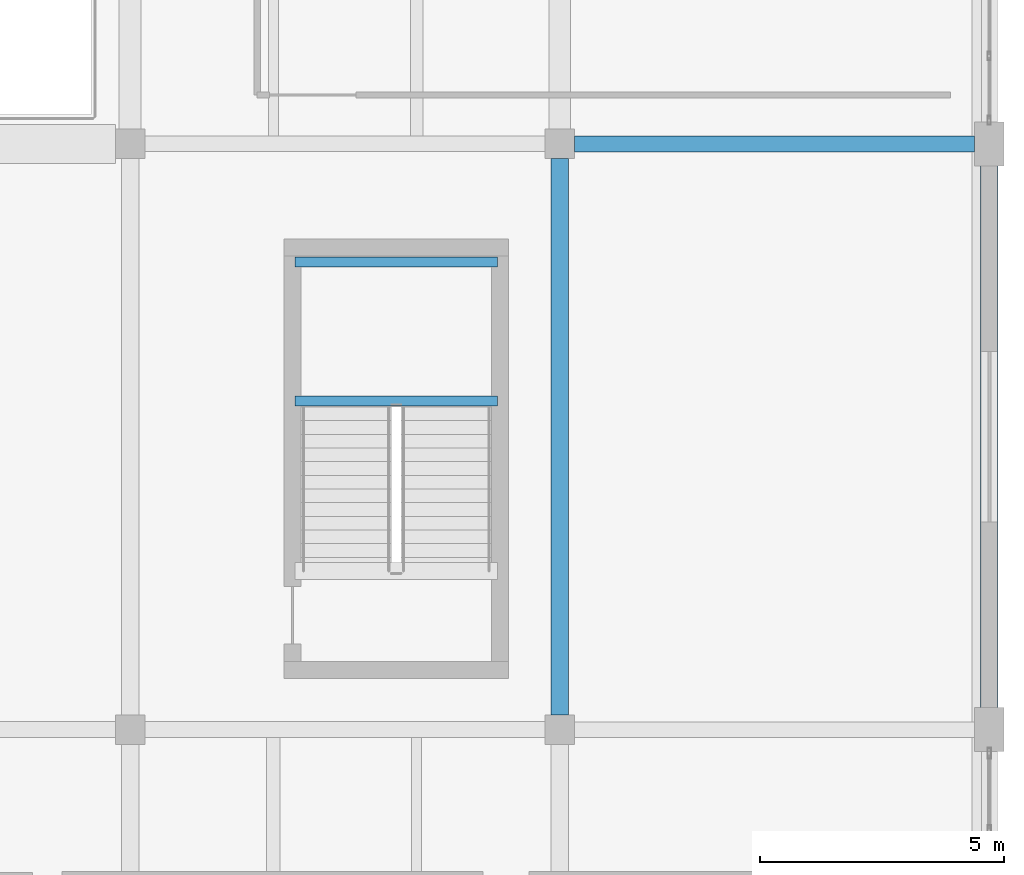
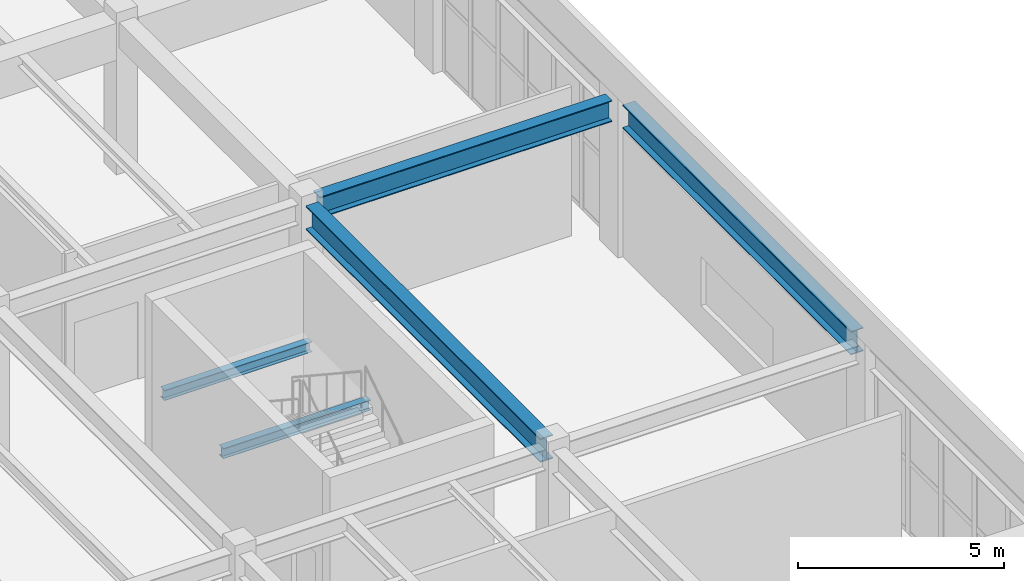
# One storey, part 56 of 96: 5 beams.
"""IFC4 building model written with IfcOpenShell, lengths in metres."""

from ifc_helpers import new_model, si_unit, direction, frame, origin, origin_2d, place, context, subcontext, project, spatial, i_section, extrude, material, material_profile, profile_set, type_object, element, save


model = new_model("IFC4")

# Units and contexts
model_context = context("Model", 3, precision=1e-05, world=origin(), true_north=direction((0.0, 1.0)))
body_context = subcontext(model_context, "Body", "Model", "MODEL_VIEW")
ifc_project = project(units=[si_unit("LENGTHUNIT", "METRE"), si_unit("AREAUNIT", "SQUARE_METRE"), si_unit("VOLUMEUNIT", "CUBIC_METRE"), si_unit("PLANEANGLEUNIT", "RADIAN"), si_unit("MASSUNIT", "GRAM", prefix="KILO")], contexts=[model_context])

# Site, building, storey
site_placement = place(None, origin())
site = spatial("IfcSite", under=ifc_project, at=site_placement, CompositionType="ELEMENT")
building_placement = place(site_placement, origin())
building = spatial("IfcBuilding", under=site, at=building_placement, Name="Vaelkrest Opera House", CompositionType="ELEMENT")
storey_placement = place(building_placement, frame((0.0, 0.0, 5.39990234375)))
storey = spatial("IfcBuildingStorey", under=building, at=storey_placement, Name="L01", CompositionType="ELEMENT", Elevation=5.39990234375)

# Beams
ifc_material = material(Name="Steel A992 Gr50", Category="steel")
ifc_material_profile_1 = material_profile(ifc_material, i_section(OverallWidth=0.327880859375, OverallDepth=0.6279296875, WebThickness=0.0166015625, FlangeThickness=0.027587890625, at=origin_2d()), Name="W24X146")
ifc_profile_set_1 = profile_set([ifc_material_profile_1], Name="Steel A992 Gr50")
beam_type_1 = type_object("IfcBeamType", Name="B09", PredefinedType="BEAM", material=ifc_profile_set_1)
beam_1_placement = place(storey_placement, frame((77.89990234375, -7.800048828125, 4.191162109375), z_axis=(1.0, 0.0, 0.0), x_axis=(0.0, 1.0, 0.0)))
element("IfcBeam", 1, at=beam_1_placement, inside=storey, type_object=beam_type_1, Name="Beam BM-V4-L01-2138", PredefinedType="BEAM", context=body_context, shape_type="SweptSolid", body=[
    extrude(i_section(OverallWidth=0.327880859375, OverallDepth=0.6279296875, WebThickness=0.0166015625, FlangeThickness=0.027587890625, at=origin_2d()), origin(), (0.0, 0.0, 1.0), 8.2001953125),
])
ifc_material_profile_2 = material_profile(ifc_material, i_section(OverallWidth=0.35791015625, OverallDepth=0.7060546875, WebThickness=0.018310546875, FlangeThickness=0.0302734375, at=origin_2d()), Name="W27X178")
ifc_profile_set_2 = profile_set([ifc_material_profile_2], Name="Steel A992 Gr50")
beam_type_2 = type_object("IfcBeamType", Name="B14", PredefinedType="BEAM", material=ifc_profile_set_2)
beam_2_placement = place(storey_placement, frame((77.60009765625, -19.5, 4.147216796875), z_axis=(0.0, 1.0, 0.0), x_axis=(-1.0, 0.0, 0.0)))
element("IfcBeam", 2, at=beam_2_placement, inside=storey, type_object=beam_type_2, Name="Beam BM-V4-L01-2202", PredefinedType="BEAM", context=body_context, shape_type="SweptSolid", body=[
    extrude(i_section(OverallWidth=0.35791015625, OverallDepth=0.7060546875, WebThickness=0.018310546875, FlangeThickness=0.0302734375, at=origin_2d()), origin(), (0.0, 0.0, 1.0), 11.39990234375),
])
ifc_material_profile_3 = material_profile(ifc_material, i_section(OverallWidth=0.202880859375, OverallDepth=0.302978515625, WebThickness=0.007568359375, FlangeThickness=0.01318359375, at=origin_2d()), Name="W12X40")
ifc_profile_set_3 = profile_set([ifc_material_profile_3], Name="Steel A992 Gr50")
beam_type_3 = type_object("IfcBeamType", Name="J02", PredefinedType="JOIST", material=ifc_profile_set_3)
for number, where, z_axis, x_axis, name in (
    (3, (72.179931640625, -13.070068359375, 2.048583984375), (1.0, 0.0, 0.0), (0.0, 1.0, 0.0), "Stair landing bearer beam ST10 L01-1N"),
    (4, (72.179931640625, -10.219970703125, 2.048583984375), (1.0, 0.0, 0.0), (0.0, 1.0, 0.0), "Stair landing bearer beam ST10 L01-1F"),
):
    element("IfcBeam", number, at=place(storey_placement, frame(where, z_axis=z_axis, x_axis=x_axis)), inside=storey, type_object=beam_type_3, Name=name, PredefinedType="JOIST", context=body_context, shape_type="SweptSolid", body=[
        extrude(i_section(OverallWidth=0.202880859375, OverallDepth=0.302978515625, WebThickness=0.007568359375, FlangeThickness=0.01318359375, at=origin_2d()), origin(), (0.0, 0.0, 1.0), 4.14013671875),
    ])
ifc_material_profile_4 = material_profile(ifc_material, i_section(OverallWidth=0.35498046875, OverallDepth=0.695068359375, WebThickness=0.015380859375, FlangeThickness=0.02490234375, at=origin_2d()), Name="W27X146")
ifc_profile_set_4 = profile_set([ifc_material_profile_4], Name="Steel A992 Gr50")
beam_type_4 = type_object("IfcBeamType", Name="SP02", PredefinedType="SPANDREL", material=ifc_profile_set_4)
beam_3_placement = place(storey_placement, frame((86.39990234375, -19.35009765625, 4.15771484375), z_axis=(0.0, 1.0, 0.0), x_axis=(-1.0, 0.0, 0.0)))
element("IfcBeam", 5, at=beam_3_placement, inside=storey, type_object=beam_type_4, Name="Beam BM-V4-L01-2210", PredefinedType="SPANDREL", context=body_context, shape_type="SweptSolid", body=[
    extrude(i_section(OverallWidth=0.35498046875, OverallDepth=0.695068359375, WebThickness=0.015380859375, FlangeThickness=0.02490234375, at=origin_2d()), origin(), (0.0, 0.0, 1.0), 11.10009765625),
])

save(model, "model.ifc")
